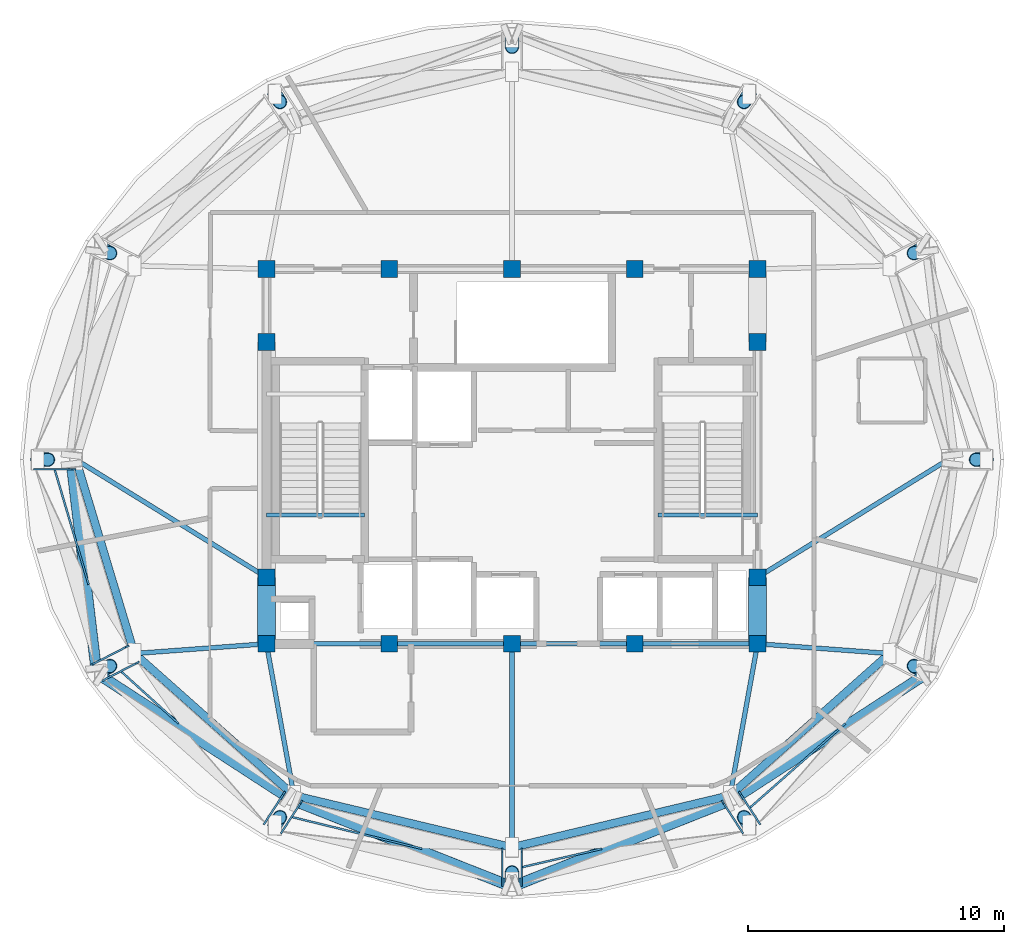
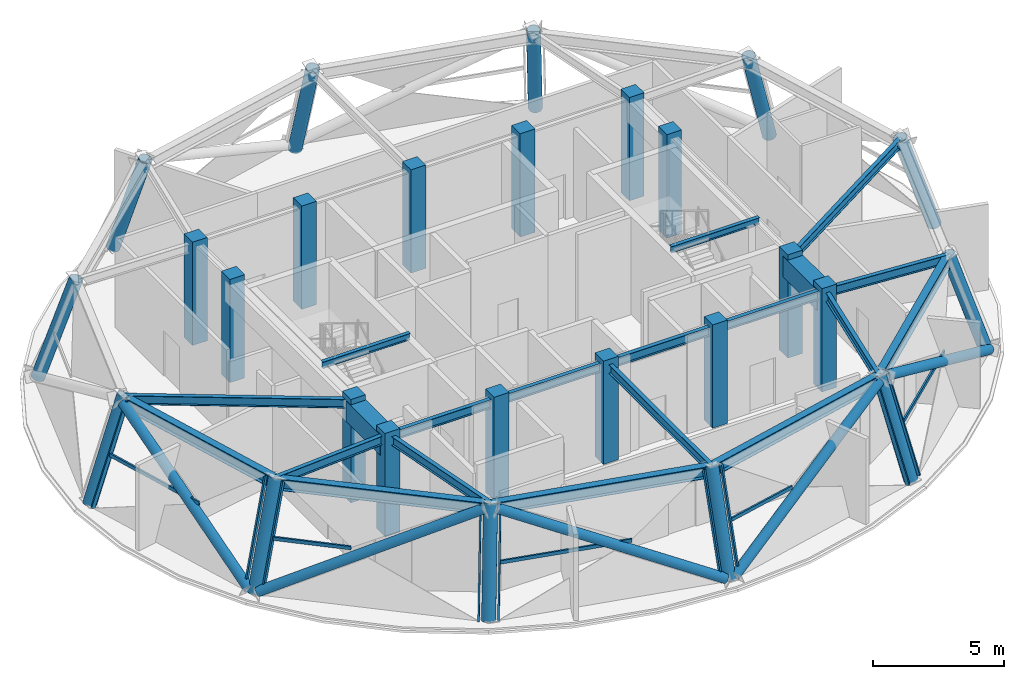
# One storey, part 1 of 11: 26 columns, 20 beams, 19 members, 5 elements without a shape of their own.
"""IFC4 building model written with IfcOpenShell, lengths in metres."""

from ifc_helpers import new_model, si_unit, direction, frame, origin, origin_2d, place, context, subcontext, project, spatial, rectangle, hollow_rectangle, hollow_circle, i_section, extrude, material, layer, layer_set, material_profile, profile_set, type_object, element, aggregate, save


model = new_model("IFC4")

# Units and contexts
model_context = context("Model", 3, precision=1e-05, world=origin(), true_north=direction((0.0, 1.0)))
body_context = subcontext(model_context, "Body", "Model", "MODEL_VIEW")
ifc_project = project(units=[si_unit("LENGTHUNIT", "METRE"), si_unit("AREAUNIT", "SQUARE_METRE"), si_unit("VOLUMEUNIT", "CUBIC_METRE"), si_unit("PLANEANGLEUNIT", "RADIAN"), si_unit("MASSUNIT", "GRAM", prefix="KILO")], contexts=[model_context])

# Site, building, storey
site_placement = place(None, origin())
site = spatial("IfcSite", under=ifc_project, at=site_placement, CompositionType="ELEMENT")
building_placement = place(site_placement, origin())
building = spatial("IfcBuilding", under=site, at=building_placement, Name="Vantalir Tower", CompositionType="ELEMENT")
storey_placement = place(building_placement, frame((0.0, 0.0, 299.699951171875)))
storey = spatial("IfcBuildingStorey", under=building, at=storey_placement, Name="L75", CompositionType="ELEMENT", Elevation=299.699951171875)

# Columns
ifc_material_1 = material(Name="Concrete C50/60", Category="concrete")
ifc_material_profile_1 = material_profile(ifc_material_1, rectangle(XDim=0.64990234375, YDim=0.64990234375, at=origin_2d()), Name="Concrete C50/60")
ifc_profile_set_1 = profile_set([ifc_material_profile_1], Name="Concrete C50/60")
column_type_1 = type_object("IfcColumnType", Name="COL-CC-650", PredefinedType="COLUMN", material=ifc_profile_set_1)
for number, where, z_axis, x_axis, name in (
    (1, (21.89990234375, 17.800048828125, 0.0), (0.0, 0.0, 1.0), (1.0, 0.0, 0.0), "L75 Core Column CC01"),
    (2, (26.699951171875, 17.800048828125, 0.0), (0.0, 0.0, 1.0), (1.0, 0.0, 0.0), "L75 Core Column CC02"),
    (3, (31.5, 17.800048828125, 0.0), (0.0, 0.0, 1.0), (1.0, 0.0, 0.0), "L75 Core Column CC03"),
    (4, (36.300048828125, 17.800048828125, 0.0), (0.0, 0.0, 1.0), (1.0, 0.0, 0.0), "L75 Core Column CC04"),
    (5, (41.10009765625, 17.800048828125, 0.0), (0.0, 0.0, 1.0), (1.0, 0.0, 0.0), "L75 Core Column CC05"),
    (6, (21.89990234375, 20.39990234375, 0.0), (0.0, 0.0, 1.0), (1.0, 0.0, 0.0), "L75 Core Column CC06"),
    (7, (21.89990234375, 29.60009765625, 0.0), (0.0, 0.0, 1.0), (1.0, 0.0, 0.0), "L75 Core Column CC07"),
    (8, (41.10009765625, 20.39990234375, 0.0), (0.0, 0.0, 1.0), (1.0, 0.0, 0.0), "L75 Core Column CC08"),
    (9, (41.10009765625, 29.60009765625, 0.0), (0.0, 0.0, 1.0), (1.0, 0.0, 0.0), "L75 Core Column CC09"),
    (10, (21.89990234375, 32.449951171875, 0.0), (0.0, 0.0, 1.0), (1.0, 0.0, 0.0), "L75 Core Column CC10"),
    (11, (26.699951171875, 32.449951171875, 0.0), (0.0, 0.0, 1.0), (1.0, 0.0, 0.0), "L75 Core Column CC11"),
    (12, (31.5, 32.449951171875, 0.0), (0.0, 0.0, 1.0), (1.0, 0.0, 0.0), "L75 Core Column CC12"),
    (13, (36.300048828125, 32.449951171875, 0.0), (0.0, 0.0, 1.0), (1.0, 0.0, 0.0), "L75 Core Column CC13"),
    (14, (41.10009765625, 32.449951171875, 0.0), (0.0, 0.0, 1.0), (1.0, 0.0, 0.0), "L75 Core Column CC14"),
):
    element("IfcColumn", number, at=place(storey_placement, frame(where, z_axis=z_axis, x_axis=x_axis)), inside=storey, type_object=column_type_1, Name=name, PredefinedType="COLUMN", context=body_context, shape_type="SweptSolid", body=[
        extrude(rectangle(XDim=0.64990234375, YDim=0.64990234375, at=origin_2d()), origin(), (0.0, 0.0, 1.0), 4.800048828125),
    ])
ifc_material_2 = material(Name="Steel S460", Category="steel")
ifc_material_profile_2 = material_profile(ifc_material_2, hollow_circle(Radius=0.27490234375, WallThickness=0.02490234375, at=origin_2d()), Name="Steel S460")
ifc_profile_set_2 = profile_set([ifc_material_profile_2], Name="Steel S460")
column_type_2 = type_object("IfcColumnType", Name="COL-RC-550", PredefinedType="COLUMN", material=ifc_profile_set_2)
column_1_placement = place(storey_placement, frame((50.06005859375, 25.0, 0.0), z_axis=(-0.314974720993, 0.0, 0.949100060655), x_axis=(0.0, -1.0, 0.0)))
element("IfcColumn", 15, at=column_1_placement, inside=storey, type_object=column_type_2, Name="L75 Perimeter Ring Column RC01", PredefinedType="COLUMN", context=body_context, shape_type="SweptSolid", body=[
    extrude(hollow_circle(Radius=0.27490234375, WallThickness=0.02490234375, at=origin_2d()), origin(), (0.0, 0.0, 1.0), 4.7939453125),
])
column_2_placement = place(storey_placement, frame((47.572998046875, 33.256103515625, 0.0), z_axis=(-0.273306002917, -0.140967284524, 0.951541934685), x_axis=(0.458401842469, -0.888745042642, 0.0)))
element("IfcColumn", 16, at=column_2_placement, inside=storey, type_object=column_type_2, Name="L75 Perimeter Ring Column RC02", PredefinedType="COLUMN", context=body_context, shape_type="SweptSolid", body=[
    extrude(hollow_circle(Radius=0.27490234375, WallThickness=0.02490234375, at=origin_2d()), origin(), (0.0, 0.0, 1.0), 4.78173828125),
])
column_3_placement = place(storey_placement, frame((40.780029296875, 39.300048828125, 0.0), z_axis=(-0.158711188272, -0.245481514611, 0.956320858656), x_axis=(0.839772609445, -0.542938269443, 0.0)))
element("IfcColumn", 17, at=column_3_placement, inside=storey, type_object=column_type_2, Name="L75 Perimeter Ring Column RC03", PredefinedType="COLUMN", context=body_context, shape_type="SweptSolid", body=[
    extrude(hollow_circle(Radius=0.27490234375, WallThickness=0.02490234375, at=origin_2d()), origin(), (0.0, 0.0, 1.0), 4.7578125),
])
column_4_placement = place(storey_placement, frame((31.5, 41.511962890625, 0.0), z_axis=(0.0, -0.284037531299, 0.95881316262), x_axis=(1.0, 0.0, 0.0)))
element("IfcColumn", 18, at=column_4_placement, inside=storey, type_object=column_type_2, Name="L75 Perimeter Ring Column RC04", PredefinedType="COLUMN", context=body_context, shape_type="SweptSolid", body=[
    extrude(hollow_circle(Radius=0.27490234375, WallThickness=0.02490234375, at=origin_2d()), origin(), (0.0, 0.0, 1.0), 4.74560546875),
])
column_5_placement = place(storey_placement, frame((22.219970703125, 39.300048828125, 0.0), z_axis=(0.158711188272, -0.245481514611, 0.956320858656), x_axis=(0.839772609445, 0.542938269443, 0.0)))
element("IfcColumn", 19, at=column_5_placement, inside=storey, type_object=column_type_2, Name="L75 Perimeter Ring Column RC05", PredefinedType="COLUMN", context=body_context, shape_type="SweptSolid", body=[
    extrude(hollow_circle(Radius=0.27490234375, WallThickness=0.02490234375, at=origin_2d()), origin(), (0.0, 0.0, 1.0), 4.7578125),
])
column_6_placement = place(storey_placement, frame((15.427001953125, 33.256103515625, 0.0), z_axis=(0.273306002917, -0.140967284524, 0.951541934685), x_axis=(0.458401842469, 0.888745042642, 0.0)))
element("IfcColumn", 20, at=column_6_placement, inside=storey, type_object=column_type_2, Name="L75 Perimeter Ring Column RC06", PredefinedType="COLUMN", context=body_context, shape_type="SweptSolid", body=[
    extrude(hollow_circle(Radius=0.27490234375, WallThickness=0.02490234375, at=origin_2d()), origin(), (0.0, 0.0, 1.0), 4.78173828125),
])
column_7_placement = place(storey_placement, frame((12.93994140625, 25.0, 0.0), z_axis=(0.314974720993, 0.0, 0.949100060655), x_axis=(0.0, 1.0, 0.0)))
element("IfcColumn", 21, at=column_7_placement, inside=storey, type_object=column_type_2, Name="L75 Perimeter Ring Column RC07", PredefinedType="COLUMN", context=body_context, shape_type="SweptSolid", body=[
    extrude(hollow_circle(Radius=0.27490234375, WallThickness=0.02490234375, at=origin_2d()), origin(), (0.0, 0.0, 1.0), 4.7939453125),
])
column_8_placement = place(storey_placement, frame((15.427001953125, 16.743896484375, 0.0), z_axis=(0.273306002917, 0.140967284524, 0.951541934685), x_axis=(-0.458401842469, 0.888745042642, 0.0)))
element("IfcColumn", 22, at=column_8_placement, inside=storey, type_object=column_type_2, Name="L75 Perimeter Ring Column RC08", PredefinedType="COLUMN", context=body_context, shape_type="SweptSolid", body=[
    extrude(hollow_circle(Radius=0.27490234375, WallThickness=0.02490234375, at=origin_2d()), origin(), (0.0, 0.0, 1.0), 4.78173828125),
])
column_9_placement = place(storey_placement, frame((22.219970703125, 10.699951171875, 0.0), z_axis=(0.158711188272, 0.245481514611, 0.956320858656), x_axis=(-0.839772609445, 0.542938269443, 0.0)))
element("IfcColumn", 23, at=column_9_placement, inside=storey, type_object=column_type_2, Name="L75 Perimeter Ring Column RC09", PredefinedType="COLUMN", context=body_context, shape_type="SweptSolid", body=[
    extrude(hollow_circle(Radius=0.27490234375, WallThickness=0.02490234375, at=origin_2d()), origin(), (0.0, 0.0, 1.0), 4.7578125),
])
column_10_placement = place(storey_placement, frame((31.5, 8.488037109375, 0.0), z_axis=(0.0, 0.284037531299, 0.95881316262), x_axis=(-1.0, 0.0, 0.0)))
element("IfcColumn", 24, at=column_10_placement, inside=storey, type_object=column_type_2, Name="L75 Perimeter Ring Column RC10", PredefinedType="COLUMN", context=body_context, shape_type="SweptSolid", body=[
    extrude(hollow_circle(Radius=0.27490234375, WallThickness=0.02490234375, at=origin_2d()), origin(), (0.0, 0.0, 1.0), 4.74560546875),
])
column_11_placement = place(storey_placement, frame((40.780029296875, 10.699951171875, 0.0), z_axis=(-0.158711188272, 0.245481514611, 0.956320858656), x_axis=(-0.839772609445, -0.542938269443, 0.0)))
element("IfcColumn", 25, at=column_11_placement, inside=storey, type_object=column_type_2, Name="L75 Perimeter Ring Column RC11", PredefinedType="COLUMN", context=body_context, shape_type="SweptSolid", body=[
    extrude(hollow_circle(Radius=0.27490234375, WallThickness=0.02490234375, at=origin_2d()), origin(), (0.0, 0.0, 1.0), 4.7578125),
])
column_12_placement = place(storey_placement, frame((47.572998046875, 16.743896484375, 0.0), z_axis=(-0.273306002917, 0.140967284524, 0.951541934685), x_axis=(-0.458401842469, -0.888745042642, 0.0)))
element("IfcColumn", 26, at=column_12_placement, inside=storey, type_object=column_type_2, Name="L75 Perimeter Ring Column RC12", PredefinedType="COLUMN", context=body_context, shape_type="SweptSolid", body=[
    extrude(hollow_circle(Radius=0.27490234375, WallThickness=0.02490234375, at=origin_2d()), origin(), (0.0, 0.0, 1.0), 4.78173828125),
])

# Beams
ifc_material_3 = material(Name="Concrete C60/75", Category="concrete")
ifc_material_profile_3 = material_profile(ifc_material_3, rectangle(XDim=0.699951171875, YDim=0.949951171875, at=origin_2d()), Name="Concrete C60/75")
ifc_profile_set_3 = profile_set([ifc_material_profile_3], Name="Concrete C60/75")
beam_type_1 = type_object("IfcBeamType", Name="BM-CB-700x950", PredefinedType="USERDEFINED", material=ifc_profile_set_3)
for number, where, z_axis, x_axis, name in (
    (27, (41.10009765625, 17.800048828125, 4.074951171875), (0.0, 1.0, 0.0), (-1.0, 0.0, 0.0), "L75 Core Coupling Girder 05"),
    (28, (21.89990234375, 20.39990234375, 4.074951171875), (0.0, -1.0, 0.0), (1.0, 0.0, 0.0), "L75 Core Coupling Girder 14"),
):
    element("IfcBeam", number, at=place(storey_placement, frame(where, z_axis=z_axis, x_axis=x_axis)), inside=storey, type_object=beam_type_1, Name=name, ObjectType="GIRDER", PredefinedType="USERDEFINED", context=body_context, shape_type="SweptSolid", body=[
        extrude(rectangle(XDim=0.699951171875, YDim=0.949951171875, at=origin_2d()), origin(), (0.0, 0.0, 1.0), 2.599853515625),
    ])
ifc_material_4 = material(Name="Steel S355", Category="steel")
ifc_material_profile_4 = material_profile(ifc_material_4, i_section(OverallWidth=0.166015625, OverallDepth=0.306884765625, WebThickness=0.006591796875, FlangeThickness=0.01171875, at=origin_2d()), Name="Steel S355")
ifc_profile_set_4 = profile_set([ifc_material_profile_4], Name="Steel S355")
beam_type_2 = type_object("IfcBeamType", Name="BM-JS-305x165", PredefinedType="JOIST", material=ifc_profile_set_4)
beam_1_placement = place(storey_placement, frame((21.89990234375, 22.8349609375, 4.64599609375), z_axis=(1.0, 0.0, 0.0), x_axis=(0.0, 1.0, 0.0)))
element("IfcBeam", 29, at=beam_1_placement, inside=storey, type_object=beam_type_2, Name="L76 Stair ST1 Well Nosing Trimmer Beam", PredefinedType="JOIST", context=body_context, shape_type="SweptSolid", body=[
    extrude(i_section(OverallWidth=0.166015625, OverallDepth=0.306884765625, WebThickness=0.006591796875, FlangeThickness=0.01171875, at=origin_2d()), origin(), (0.0, 0.0, 1.0), 3.840087890625),
])
beam_2_placement = place(storey_placement, frame((37.2099609375, 22.8349609375, 4.64599609375), z_axis=(1.0, 0.0, 0.0), x_axis=(0.0, 1.0, 0.0)))
element("IfcBeam", 30, at=beam_2_placement, inside=storey, type_object=beam_type_2, Name="L76 Stair ST2 Well Nosing Trimmer Beam", PredefinedType="JOIST", context=body_context, shape_type="SweptSolid", body=[
    extrude(i_section(OverallWidth=0.166015625, OverallDepth=0.306884765625, WebThickness=0.006591796875, FlangeThickness=0.01171875, at=origin_2d()), origin(), (0.0, 0.0, 1.0), 3.89013671875),
])
ifc_material_profile_5 = material_profile(ifc_material_4, i_section(OverallWidth=0.179931640625, OverallDepth=0.4130859375, WebThickness=0.009521484375, FlangeThickness=0.01611328125, at=origin_2d()), Name="Steel S355")
ifc_profile_set_5 = profile_set([ifc_material_profile_5], Name="Steel S355")
beam_type_3 = type_object("IfcBeamType", Name="BM-RB-406x178", PredefinedType="BEAM", material=ifc_profile_set_5)
for number, where, z_axis, x_axis, name in (
    (31, (21.89990234375, 17.800048828125, 4.343994140625), (1.0, 0.0, 0.0), (0.0, 1.0, 0.0), "L75 Core Coupling Girder 01"),
    (32, (26.699951171875, 17.800048828125, 4.343994140625), (1.0, 0.0, 0.0), (0.0, 1.0, 0.0), "L75 Core Coupling Girder 02"),
    (33, (31.5, 17.800048828125, 4.343994140625), (1.0, 0.0, 0.0), (0.0, 1.0, 0.0), "L75 Core Coupling Girder 03"),
    (34, (36.300048828125, 17.800048828125, 4.343994140625), (1.0, 0.0, 0.0), (0.0, 1.0, 0.0), "L75 Core Coupling Girder 04"),
):
    element("IfcBeam", number, at=place(storey_placement, frame(where, z_axis=z_axis, x_axis=x_axis)), inside=storey, type_object=beam_type_3, Name=name, PredefinedType="BEAM", context=body_context, shape_type="SweptSolid", body=[
        extrude(i_section(OverallWidth=0.179931640625, OverallDepth=0.4130859375, WebThickness=0.009521484375, FlangeThickness=0.01611328125, at=origin_2d()), origin(), (0.0, 0.0, 1.0), 4.800048828125),
    ])
for number, where, z_axis, x_axis, name in (
    (35, (48.550048828125, 25.0, 4.343994140625), (-0.850866555367, -0.525381865844, 0.0), (0.525381865844, -0.850866555367, 0.0), "L75 Radial Floor Beam 01"),
    (36, (14.449951171875, 25.0, 4.343994140625), (0.850866555367, -0.525381865844, 0.0), (0.525381865844, 0.850866555367, 0.0), "L75 Radial Floor Beam 07"),
):
    element("IfcBeam", number, at=place(storey_placement, frame(where, z_axis=z_axis, x_axis=x_axis)), inside=storey, type_object=beam_type_3, Name=name, PredefinedType="BEAM", context=body_context, shape_type="SweptSolid", body=[
        extrude(i_section(OverallWidth=0.179931640625, OverallDepth=0.4130859375, WebThickness=0.009521484375, FlangeThickness=0.01611328125, at=origin_2d()), origin(), (0.0, 0.0, 1.0), 8.755615234375),
    ])
beam_3_placement = place(storey_placement, frame((16.73388671875, 17.41796875, 4.343994140625), z_axis=(0.99727610678, 0.073758842491, 0.0), x_axis=(-0.073758842491, 0.99727610678, 0.0)))
element("IfcBeam", 37, at=beam_3_placement, inside=storey, type_object=beam_type_3, Name="L75 Radial Floor Beam 08", PredefinedType="BEAM", context=body_context, shape_type="SweptSolid", body=[
    extrude(i_section(OverallWidth=0.179931640625, OverallDepth=0.4130859375, WebThickness=0.009521484375, FlangeThickness=0.01611328125, at=origin_2d()), origin(), (0.0, 0.0, 1.0), 5.18017578125),
])
beam_4_placement = place(storey_placement, frame((22.97509765625, 11.867919921875, 4.343994140625), z_axis=(-0.178343738553, 0.983968246906, 0.0), x_axis=(-0.983968246906, -0.178343738553, 0.0)))
element("IfcBeam", 38, at=beam_4_placement, inside=storey, type_object=beam_type_3, Name="L75 Radial Floor Beam 09", PredefinedType="BEAM", context=body_context, shape_type="SweptSolid", body=[
    extrude(i_section(OverallWidth=0.179931640625, OverallDepth=0.4130859375, WebThickness=0.009521484375, FlangeThickness=0.01611328125, at=origin_2d()), origin(), (0.0, 0.0, 1.0), 6.02880859375),
])
beam_5_placement = place(storey_placement, frame((31.5, 9.8359375, 4.343994140625), z_axis=(0.0, 1.0, 0.0), x_axis=(-1.0, 0.0, 0.0)))
element("IfcBeam", 39, at=beam_5_placement, inside=storey, type_object=beam_type_3, Name="L75 Radial Floor Beam 10", PredefinedType="BEAM", context=body_context, shape_type="SweptSolid", body=[
    extrude(i_section(OverallWidth=0.179931640625, OverallDepth=0.4130859375, WebThickness=0.009521484375, FlangeThickness=0.01611328125, at=origin_2d()), origin(), (0.0, 0.0, 1.0), 7.964111328125),
])
beam_6_placement = place(storey_placement, frame((40.02490234375, 11.867919921875, 4.343994140625), z_axis=(0.178343738553, 0.983968246906, 0.0), x_axis=(-0.983968246906, 0.178343738553, 0.0)))
element("IfcBeam", 40, at=beam_6_placement, inside=storey, type_object=beam_type_3, Name="L75 Radial Floor Beam 11", PredefinedType="BEAM", context=body_context, shape_type="SweptSolid", body=[
    extrude(i_section(OverallWidth=0.179931640625, OverallDepth=0.4130859375, WebThickness=0.009521484375, FlangeThickness=0.01611328125, at=origin_2d()), origin(), (0.0, 0.0, 1.0), 6.02880859375),
])
beam_7_placement = place(storey_placement, frame((46.26611328125, 17.41796875, 4.343994140625), z_axis=(-0.99727610678, 0.073758842491, 0.0), x_axis=(-0.073758842491, -0.99727610678, 0.0)))
element("IfcBeam", 41, at=beam_7_placement, inside=storey, type_object=beam_type_3, Name="L75 Radial Floor Beam 12", PredefinedType="BEAM", context=body_context, shape_type="SweptSolid", body=[
    extrude(i_section(OverallWidth=0.179931640625, OverallDepth=0.4130859375, WebThickness=0.009521484375, FlangeThickness=0.01611328125, at=origin_2d()), origin(), (0.0, 0.0, 1.0), 5.18017578125),
])
ifc_material_profile_6 = material_profile(ifc_material_2, i_section(OverallWidth=0.31201171875, OverallDepth=0.5419921875, WebThickness=0.0126953125, FlangeThickness=0.020263671875, at=origin_2d()), Name="Steel S460")
ifc_profile_set_6 = profile_set([ifc_material_profile_6], Name="Steel S460")
beam_type_4 = type_object("IfcBeamType", Name="BM-RG-533x312", PredefinedType="USERDEFINED", material=ifc_profile_set_6)
beam_8_placement = place(storey_placement, frame((14.449951171875, 25.0, 4.279052734375), z_axis=(0.288428217776, -0.957501521247, 0.0), x_axis=(0.957501521247, 0.288428217776, 0.0)))
element("IfcBeam", 42, at=beam_8_placement, inside=storey, type_object=beam_type_4, Name="L75 Circumferential Ring Girder 07", ObjectType="GIRDER", PredefinedType="USERDEFINED", context=body_context, shape_type="SweptSolid", body=[
    extrude(i_section(OverallWidth=0.31201171875, OverallDepth=0.5419921875, WebThickness=0.0126953125, FlangeThickness=0.020263671875, at=origin_2d()), origin(), (0.0, 0.0, 1.0), 7.91845703125),
])
beam_9_placement = place(storey_placement, frame((16.73388671875, 17.41796875, 4.279052734375), z_axis=(0.747272217457, -0.664518045667, 0.0), x_axis=(0.664518045667, 0.747272217457, 0.0)))
element("IfcBeam", 43, at=beam_9_placement, inside=storey, type_object=beam_type_4, Name="L75 Circumferential Ring Girder 08", ObjectType="GIRDER", PredefinedType="USERDEFINED", context=body_context, shape_type="SweptSolid", body=[
    extrude(i_section(OverallWidth=0.31201171875, OverallDepth=0.5419921875, WebThickness=0.0126953125, FlangeThickness=0.020263671875, at=origin_2d()), origin(), (0.0, 0.0, 1.0), 8.35205078125),
])
for number, where, z_axis, x_axis, name in (
    (44, (22.97509765625, 11.867919921875, 4.279052734375), (0.972748495566, -0.231862813695, 0.0), (0.231862813695, 0.972748495566, 0.0), "L75 Circumferential Ring Girder 09"),
    (45, (31.5, 9.8359375, 4.279052734375), (0.972748495566, 0.231862813695, 0.0), (-0.231862813695, 0.972748495566, 0.0), "L75 Circumferential Ring Girder 10"),
):
    element("IfcBeam", number, at=place(storey_placement, frame(where, z_axis=z_axis, x_axis=x_axis)), inside=storey, type_object=beam_type_4, Name=name, ObjectType="GIRDER", PredefinedType="USERDEFINED", context=body_context, shape_type="SweptSolid", body=[
        extrude(i_section(OverallWidth=0.31201171875, OverallDepth=0.5419921875, WebThickness=0.0126953125, FlangeThickness=0.020263671875, at=origin_2d()), origin(), (0.0, 0.0, 1.0), 8.763671875),
    ])
beam_10_placement = place(storey_placement, frame((40.02490234375, 11.867919921875, 4.279052734375), z_axis=(0.747272217457, 0.664518045667, 0.0), x_axis=(-0.664518045667, 0.747272217457, 0.0)))
element("IfcBeam", 46, at=beam_10_placement, inside=storey, type_object=beam_type_4, Name="L75 Circumferential Ring Girder 11", ObjectType="GIRDER", PredefinedType="USERDEFINED", context=body_context, shape_type="SweptSolid", body=[
    extrude(i_section(OverallWidth=0.31201171875, OverallDepth=0.5419921875, WebThickness=0.0126953125, FlangeThickness=0.020263671875, at=origin_2d()), origin(), (0.0, 0.0, 1.0), 8.35205078125),
])

# Curtain wall, members
ifc_material_5 = material(Name="Champagne-silver PVDF aluminium and double-silver Low-E glass", Category="aluminium")
ifc_layer = layer(ifc_material_5, 0.219970703125)
ifc_layer_set = layer_set([ifc_layer], Name="Champagne-silver PVDF aluminium and double-silver Low-E glass")
curtain_wall_type = type_object("IfcCurtainWallType", Name="CW-DIAMOND-Z4", PredefinedType="USERDEFINED", material=ifc_layer_set)
curtain_wall_1_placement = place(storey_placement, origin())
curtain_wall_1 = element("IfcCurtainWall", 47, at=curtain_wall_1_placement, inside=storey, type_object=curtain_wall_type, Name="L75 Quilted Pyramid-Diamond Curtain Wall S07", ObjectType="UNITISED CURTAIN WALL", PredefinedType="USERDEFINED")
ifc_material_6 = material(Name="Champagne-silver PVDF aluminium 6063-T6", Category="aluminium")
ifc_material_profile_7 = material_profile(ifc_material_6, hollow_rectangle(XDim=0.070068359375, YDim=0.1650390625, WallThickness=0.00390625, at=origin_2d()), Name="Champagne-silver PVDF aluminium 6063-T6")
ifc_profile_set_7 = profile_set([ifc_material_profile_7], Name="Champagne-silver PVDF aluminium 6063-T6")
member_type_1 = type_object("IfcMemberType", Name="CWM-165x70", PredefinedType="MULLION", material=ifc_profile_set_7)
member_1_placement = place(storey_placement, frame((12.862060546875, 24.626953125, 0.045166015625), z_axis=(0.320688497526, 0.0, 0.947184716702), x_axis=(0.0, 1.0, 0.0)))
member_1 = element("IfcMember", 48, at=member_1_placement, type_object=member_type_1, Name="CW-L75-S07 Mullion 1", PredefinedType="MULLION", context=body_context, shape_type="SweptSolid", body=[
    extrude(hollow_rectangle(XDim=0.070068359375, YDim=0.1650390625, WallThickness=0.00390625, at=origin_2d()), origin(), (0.0, 0.0, 1.0), 4.708740234375),
])
member_2_placement = place(storey_placement, frame((15.14990234375, 17.02197265625, 0.045166015625), z_axis=(0.278529919879, 0.143527642551, 0.949642511451), x_axis=(-0.458063858767, 0.888919288401, 0.0)))
member_2 = element("IfcMember", 49, at=member_2_placement, type_object=member_type_1, Name="CW-L75-S07 Mullion 2", PredefinedType="MULLION", context=body_context, shape_type="SweptSolid", body=[
    extrude(hollow_rectangle(XDim=0.070068359375, YDim=0.1650390625, WallThickness=0.00390625, at=origin_2d()), origin(), (0.0, 0.0, 1.0), 4.696533203125),
])

curtain_wall_2_placement = place(storey_placement, origin())
curtain_wall_2 = element("IfcCurtainWall", 50, at=curtain_wall_2_placement, inside=storey, type_object=curtain_wall_type, Name="L75 Quilted Pyramid-Diamond Curtain Wall S08", ObjectType="UNITISED CURTAIN WALL", PredefinedType="USERDEFINED")
member_3_placement = place(storey_placement, frame((15.552978515625, 16.389892578125, 0.045166015625), z_axis=(0.278529919879, 0.143527642551, 0.949642511451), x_axis=(-0.458063858767, 0.888919288401, 0.0)))
member_3 = element("IfcMember", 51, at=member_3_placement, type_object=member_type_1, Name="CW-L75-S08 Mullion 1", PredefinedType="MULLION", context=body_context, shape_type="SweptSolid", body=[
    extrude(hollow_rectangle(XDim=0.070068359375, YDim=0.1650390625, WallThickness=0.00390625, at=origin_2d()), origin(), (0.0, 0.0, 1.0), 4.696533203125),
])
member_4_placement = place(storey_placement, frame((21.833984375, 10.794921875, 0.045166015625), z_axis=(0.16164391933, 0.249808578854, 0.954707765379), x_axis=(-0.839565444793, 0.543258560825, 0.0)))
member_4 = element("IfcMember", 52, at=member_4_placement, type_object=member_type_1, Name="CW-L75-S08 Mullion 2", PredefinedType="MULLION", context=body_context, shape_type="SweptSolid", body=[
    extrude(hollow_rectangle(XDim=0.070068359375, YDim=0.1650390625, WallThickness=0.00390625, at=origin_2d()), origin(), (0.0, 0.0, 1.0), 4.671630859375),
])

curtain_wall_3_placement = place(storey_placement, origin())
curtain_wall_3 = element("IfcCurtainWall", 53, at=curtain_wall_3_placement, inside=storey, type_object=curtain_wall_type, Name="L75 Quilted Pyramid-Diamond Curtain Wall S09", ObjectType="UNITISED CURTAIN WALL", PredefinedType="USERDEFINED")
member_5_placement = place(storey_placement, frame((22.50390625, 10.445068359375, 0.045166015625), z_axis=(0.16164391933, 0.249808578854, 0.954707765379), x_axis=(-0.839565444793, 0.543258560825, 0.0)))
member_5 = element("IfcMember", 54, at=member_5_placement, type_object=member_type_1, Name="CW-L75-S09 Mullion 1", PredefinedType="MULLION", context=body_context, shape_type="SweptSolid", body=[
    extrude(hollow_rectangle(XDim=0.070068359375, YDim=0.1650390625, WallThickness=0.00390625, at=origin_2d()), origin(), (0.0, 0.0, 1.0), 4.671630859375),
])
member_6_placement = place(storey_placement, frame((31.12109375, 8.388916015625, 0.045166015625), z_axis=(0.0, 0.289347072892, 0.957224253458), x_axis=(-1.0, 0.0, 0.0)))
member_6 = element("IfcMember", 55, at=member_6_placement, type_object=member_type_1, Name="CW-L75-S09 Mullion 2", PredefinedType="MULLION", context=body_context, shape_type="SweptSolid", body=[
    extrude(hollow_rectangle(XDim=0.070068359375, YDim=0.1650390625, WallThickness=0.00390625, at=origin_2d()), origin(), (0.0, 0.0, 1.0), 4.6591796875),
])

curtain_wall_4_placement = place(storey_placement, origin())
curtain_wall_4 = element("IfcCurtainWall", 56, at=curtain_wall_4_placement, inside=storey, type_object=curtain_wall_type, Name="L75 Quilted Pyramid-Diamond Curtain Wall S10", ObjectType="UNITISED CURTAIN WALL", PredefinedType="USERDEFINED")
member_7_placement = place(storey_placement, frame((31.87890625, 8.388916015625, 0.045166015625), z_axis=(0.0, 0.289347072892, 0.957224253458), x_axis=(-1.0, 0.0, 0.0)))
member_7 = element("IfcMember", 57, at=member_7_placement, type_object=member_type_1, Name="CW-L75-S10 Mullion 1", PredefinedType="MULLION", context=body_context, shape_type="SweptSolid", body=[
    extrude(hollow_rectangle(XDim=0.070068359375, YDim=0.1650390625, WallThickness=0.00390625, at=origin_2d()), origin(), (0.0, 0.0, 1.0), 4.6591796875),
])
member_8_placement = place(storey_placement, frame((40.49609375, 10.445068359375, 0.045166015625), z_axis=(-0.16164391933, 0.249808578854, 0.954707765379), x_axis=(-0.839565444793, -0.543258560825, 0.0)))
member_8 = element("IfcMember", 58, at=member_8_placement, type_object=member_type_1, Name="CW-L75-S10 Mullion 2", PredefinedType="MULLION", context=body_context, shape_type="SweptSolid", body=[
    extrude(hollow_rectangle(XDim=0.070068359375, YDim=0.1650390625, WallThickness=0.00390625, at=origin_2d()), origin(), (0.0, 0.0, 1.0), 4.671630859375),
])

# Curtain wall, member
curtain_wall_5_placement = place(storey_placement, origin())
curtain_wall_5 = element("IfcCurtainWall", 59, at=curtain_wall_5_placement, inside=storey, type_object=curtain_wall_type, Name="L75 Quilted Pyramid-Diamond Curtain Wall S11", ObjectType="UNITISED CURTAIN WALL", PredefinedType="USERDEFINED")
member_9_placement = place(storey_placement, frame((41.166015625, 10.794921875, 0.045166015625), z_axis=(-0.16164391933, 0.249808578854, 0.954707765379), x_axis=(-0.839565444793, -0.543258560825, 0.0)))
member_9 = element("IfcMember", 60, at=member_9_placement, type_object=member_type_1, Name="CW-L75-S11 Mullion 1", PredefinedType="MULLION", context=body_context, shape_type="SweptSolid", body=[
    extrude(hollow_rectangle(XDim=0.070068359375, YDim=0.1650390625, WallThickness=0.00390625, at=origin_2d()), origin(), (0.0, 0.0, 1.0), 4.671630859375),
])

# Member
ifc_material_profile_8 = material_profile(ifc_material_6, hollow_rectangle(XDim=0.074951171875, YDim=0.159912109375, WallThickness=0.00390625, at=origin_2d()), Name="Champagne-silver PVDF aluminium 6063-T6")
ifc_profile_set_8 = profile_set([ifc_material_profile_8], Name="Champagne-silver PVDF aluminium 6063-T6")
member_type_2 = type_object("IfcMemberType", Name="CWT-160x75", PredefinedType="USERDEFINED", material=ifc_profile_set_8)
member_10_placement = place(storey_placement, frame((13.616943359375, 24.626953125, 2.275146484375), z_axis=(0.283275649761, -0.959038532204, 0.0), x_axis=(0.959038532204, 0.283275649761, 0.0)))
member_10 = element("IfcMember", 61, at=member_10_placement, type_object=member_type_2, Name="CW-L75-S07 Pyramid Fold Ridge Transom", ObjectType="TRANSOM", PredefinedType="USERDEFINED", context=body_context, shape_type="SweptSolid", body=[
    extrude(hollow_rectangle(XDim=0.074951171875, YDim=0.159912109375, WallThickness=0.00390625, at=origin_2d()), origin(), (0.0, 0.0, 1.0), 4.705810546875),
])

aggregate(curtain_wall_1, [member_1, member_2, member_10])

member_11_placement = place(storey_placement, frame((16.20703125, 16.72705078125, 2.275146484375), z_axis=(0.741585058255, -0.67085885354, 0.0), x_axis=(0.67085885354, 0.741585058255, 0.0)))
member_11 = element("IfcMember", 62, at=member_11_placement, type_object=member_type_2, Name="CW-L75-S08 Pyramid Fold Ridge Transom", ObjectType="TRANSOM", PredefinedType="USERDEFINED", context=body_context, shape_type="SweptSolid", body=[
    extrude(hollow_rectangle(XDim=0.074951171875, YDim=0.159912109375, WallThickness=0.00390625, at=origin_2d()), origin(), (0.0, 0.0, 1.0), 3.051513671875),
])

aggregate(curtain_wall_2, [member_3, member_4, member_11])

member_12_placement = place(storey_placement, frame((22.882080078125, 11.029052734375, 2.275146484375), z_axis=(0.971585028831, -0.236690793551, 0.0), x_axis=(0.236690793551, 0.971585028831, 0.0)))
member_12 = element("IfcMember", 63, at=member_12_placement, type_object=member_type_2, Name="CW-L75-S09 Pyramid Fold Ridge Transom", ObjectType="TRANSOM", PredefinedType="USERDEFINED", context=body_context, shape_type="SweptSolid", body=[
    extrude(hollow_rectangle(XDim=0.074951171875, YDim=0.159912109375, WallThickness=0.00390625, at=origin_2d()), origin(), (0.0, 0.0, 1.0), 5.252197265625),
])

aggregate(curtain_wall_3, [member_5, member_6, member_12])

member_13_placement = place(storey_placement, frame((31.87890625, 9.06298828125, 2.275146484375), z_axis=(0.974444867837, 0.224626800597, 0.0), x_axis=(-0.224626800597, 0.974444867837, 0.0)))
member_13 = element("IfcMember", 64, at=member_13_placement, type_object=member_type_2, Name="CW-L75-S10 Pyramid Fold Ridge Transom", ObjectType="TRANSOM", PredefinedType="USERDEFINED", context=body_context, shape_type="SweptSolid", body=[
    extrude(hollow_rectangle(XDim=0.074951171875, YDim=0.159912109375, WallThickness=0.00390625, at=origin_2d()), origin(), (0.0, 0.0, 1.0), 3.21826171875),
])

aggregate(curtain_wall_4, [member_7, member_8, member_13])

member_14_placement = place(storey_placement, frame((40.7890625, 11.37890625, 2.275146484375), z_axis=(0.749820718578, 0.661641058272, 0.0), x_axis=(-0.661641058272, 0.749820718578, 0.0)))
member_14 = element("IfcMember", 65, at=member_14_placement, type_object=member_type_2, Name="CW-L75-S11 Pyramid Fold Ridge Transom", ObjectType="TRANSOM", PredefinedType="USERDEFINED", context=body_context, shape_type="SweptSolid", body=[
    extrude(hollow_rectangle(XDim=0.074951171875, YDim=0.159912109375, WallThickness=0.00390625, at=origin_2d()), origin(), (0.0, 0.0, 1.0), 4.9892578125),
])

aggregate(curtain_wall_5, [member_9, member_14])

# Members
ifc_material_profile_9 = material_profile(ifc_material_2, hollow_circle(Radius=0.2099609375, WallThickness=0.02490234375, at=origin_2d()), Name="Steel S460")
ifc_profile_set_9 = profile_set([ifc_material_profile_9], Name="Steel S460")
member_type_3 = type_object("IfcMemberType", Name="MEM-DB-420x25", PredefinedType="BRACE", material=ifc_profile_set_9)
member_15_placement = place(storey_placement, frame((15.427978515625, 16.541015625, 0.176025390625), z_axis=(0.755197281498, -0.49025573421, 0.435116514387), x_axis=(0.544502228893, 0.838759395018, 0.0)))
element("IfcMember", 66, at=member_15_placement, inside=storey, type_object=member_type_3, Name="L75 Perimeter S460 Diagrid Brace R22L", PredefinedType="BRACE", context=body_context, shape_type="SweptSolid", body=[
    extrude(hollow_circle(Radius=0.2099609375, WallThickness=0.02490234375, at=origin_2d()), origin(), (0.0, 0.0, 1.0), 9.64794921875),
])
member_16_placement = place(storey_placement, frame((15.239013671875, 16.843017578125, 0.18212890625), z_axis=(-0.105678789826, 0.880188817409, 0.462709022053), x_axis=(-0.992869346267, -0.119207639195, 0.0)))
element("IfcMember", 67, at=member_16_placement, inside=storey, type_object=member_type_3, Name="L75 Perimeter S460 Diagrid Brace R22R", PredefinedType="BRACE", context=body_context, shape_type="SweptSolid", body=[
    extrude(hollow_circle(Radius=0.2099609375, WallThickness=0.02490234375, at=origin_2d()), origin(), (0.0, 0.0, 1.0), 9.046875),
])
for number, where, z_axis, x_axis, name in (
    (68, (31.68505859375, 8.37109375, 0.174072265625), (0.84053281157, 0.332014440366, 0.428101628194), (-0.367382094463, 0.930070103093, 0.0), "L75 Perimeter S460 Diagrid Brace R28L"),
    (69, (31.31494140625, 8.37109375, 0.174072265625), (-0.84053281157, 0.332014440366, 0.428101628194), (-0.367382094463, -0.930070103093, 0.0), "L75 Perimeter S460 Diagrid Brace R28R"),
):
    element("IfcMember", number, at=place(storey_placement, frame(where, z_axis=z_axis, x_axis=x_axis)), inside=storey, type_object=member_type_3, Name=name, PredefinedType="BRACE", context=body_context, shape_type="SweptSolid", body=[
        extrude(hollow_circle(Radius=0.2099609375, WallThickness=0.02490234375, at=origin_2d()), origin(), (0.0, 0.0, 1.0), 9.815185546875),
    ])
member_17_placement = place(storey_placement, frame((47.572021484375, 16.541015625, 0.176025390625), z_axis=(-0.755197281498, -0.49025573421, 0.435116514387), x_axis=(0.544502228893, -0.838759395018, 0.0)))
element("IfcMember", 70, at=member_17_placement, inside=storey, type_object=member_type_3, Name="L75 Perimeter S460 Diagrid Brace R34R", PredefinedType="BRACE", context=body_context, shape_type="SweptSolid", body=[
    extrude(hollow_circle(Radius=0.2099609375, WallThickness=0.02490234375, at=origin_2d()), origin(), (0.0, 0.0, 1.0), 9.64794921875),
])

save(model, "model.ifc")
